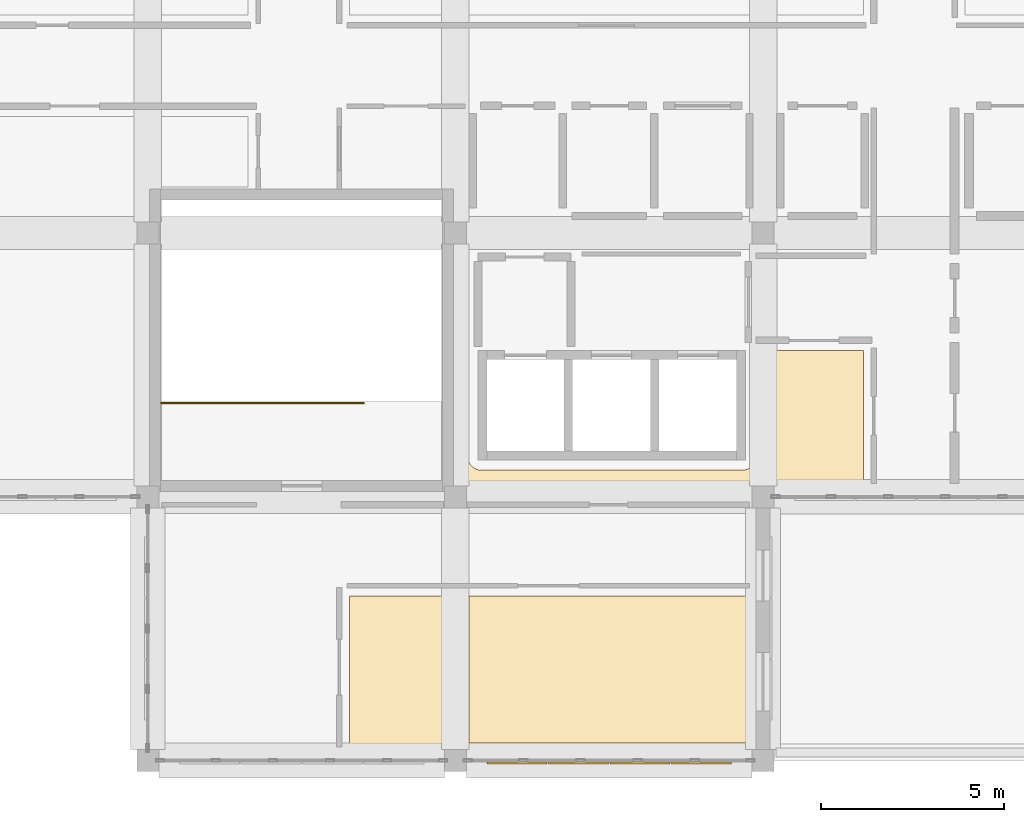
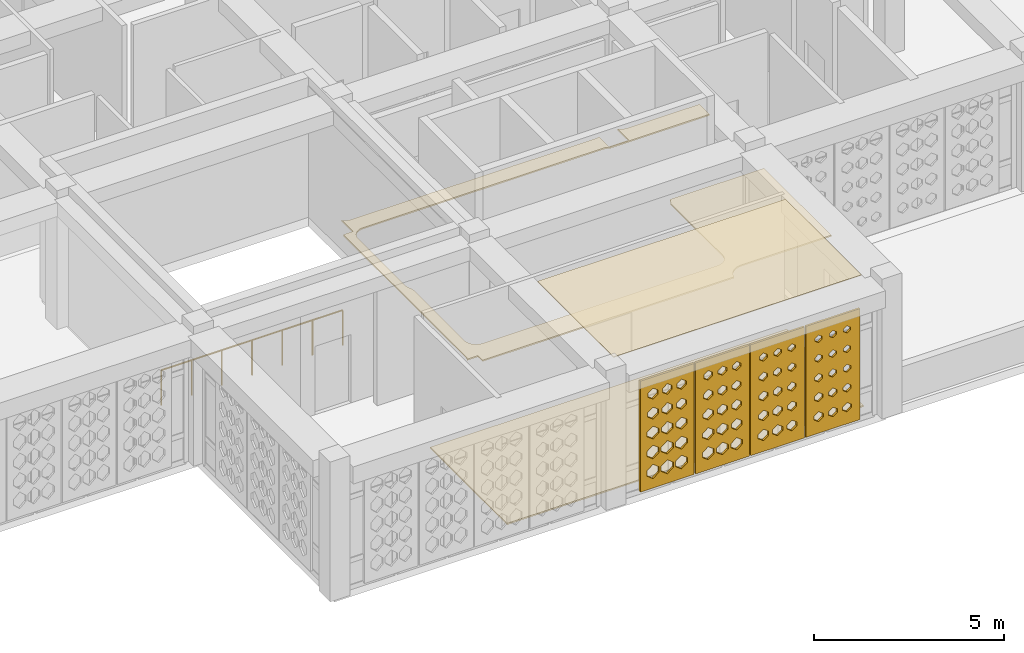
# One storey, part 19 of 28: 7 coverings, 1 railing.
"""IFC4 building model written with IfcOpenShell, lengths in metres."""

from ifc_helpers import new_model, si_unit, derived_unit, direction, frame, origin, origin_2d, place, context, subcontext, project, spatial, polyline, circle, outline, extrude, material, layer, layer_set, type_object, element, save


model = new_model("IFC4")

# Units and contexts
model_context = context("Model", 3, precision=1e-05, world=origin(), true_north=direction((0.0, 1.0)))
body_context = subcontext(model_context, "Body", "Model", "MODEL_VIEW")
ifc_project = project(units=[si_unit("LENGTHUNIT", "METRE"), si_unit("AREAUNIT", "SQUARE_METRE"), si_unit("VOLUMEUNIT", "CUBIC_METRE"), si_unit("PLANEANGLEUNIT", "RADIAN"), si_unit("MASSUNIT", "GRAM", prefix="KILO"), derived_unit("THERMALTRANSMITTANCEUNIT", [(si_unit("POWERUNIT", "WATT"), 1), (si_unit("LENGTHUNIT", "METRE"), -2), (si_unit("THERMODYNAMICTEMPERATUREUNIT", "KELVIN"), -1)])], contexts=[model_context])

# Site, building, storey
site_placement = place(None, origin())
site = spatial("IfcSite", under=ifc_project, at=site_placement, CompositionType="ELEMENT")
building_placement = place(site_placement, origin())
building = spatial("IfcBuilding", under=site, at=building_placement, Name="Veybourne Emporium", CompositionType="ELEMENT")
storey_placement = place(building_placement, frame((0.0, 0.0, 32.10009765625)))
storey = spatial("IfcBuildingStorey", under=building, at=storey_placement, Name="L07", CompositionType="ELEMENT", Elevation=32.10009765625)

# Coverings
ifc_material_1 = material(Name="Mineral Acoustic Ceiling", Category="gypsum")
ifc_layer_1 = layer(ifc_material_1, 0.02490234375)
ifc_layer_set_1 = layer_set([ifc_layer_1], Name="Mineral Acoustic Ceiling")
covering_type_1 = type_object("IfcCoveringType", Name="Ceiling_CLG-01", PredefinedType="CEILING", material=ifc_layer_set_1)
covering_1_placement = place(storey_placement, frame((0.0, 0.0, 4.21484375)))
element("IfcCovering", 1, at=covering_1_placement, inside=storey, type_object=covering_type_1, Name="L07 coffered acoustic ceiling 01", PredefinedType="CEILING", context=body_context, shape_type="SweptSolid", body=[
    extrude(outline(polyline([(33.126953125, 11.68994140625), (33.126953125, 7.673095703125), (25.572998046875, 7.673095703125), (25.572998046875, 11.68994140625), (33.126953125, 11.68994140625)])), origin(), (0.0, 0.0, 1.0), 0.025146484375),
])
ifc_material_2 = material(Name="Venetian Terrazzo Flooring", Category="masonry")
ifc_layer_2 = layer(ifc_material_2, 0.044921875)
ifc_layer_set_2 = layer_set([ifc_layer_2], Name="Venetian Terrazzo Flooring")
covering_type_2 = type_object("IfcCoveringType", Name="Flooring_FLR-01", PredefinedType="FLOORING", material=ifc_layer_set_2)
covering_2_placement = place(storey_placement, origin())
element("IfcCovering", 2, at=covering_2_placement, inside=storey, type_object=covering_type_2, Name="L07 floor finish 01", PredefinedType="FLOORING", context=body_context, shape_type="SweptSolid", body=[
    extrude(outline(polyline([(22.31005859375, 11.68994140625), (33.159912109375, 11.68994140625), (33.159912109375, 7.639892578125), (22.31005859375, 7.639892578125), (22.31005859375, 11.68994140625)])), origin(), (0.0, 0.0, 1.0), 0.044921875),
])
covering_3_placement = place(storey_placement, origin())
element("IfcCovering", 3, at=covering_3_placement, inside=storey, type_object=covering_type_2, Name="L07 floor finish 03", PredefinedType="FLOORING", context=body_context, shape_type="SweptSolid", body=[
    extrude(outline(polyline([(25.5400390625, 15.489990234375), (25.540283203125, 15.480224609375), (25.541015625, 15.464599609375), (25.54296875, 15.445068359375), (25.545166015625, 15.429443359375), (25.549072265625, 15.41015625), (25.552978515625, 15.39501953125), (25.55859375, 15.376220703125), (25.56396484375, 15.361328125), (25.5712890625, 15.34326171875), (25.578125, 15.3291015625), (25.58740234375, 15.311767578125), (25.595458984375, 15.29833984375), (25.6064453125, 15.281982421875), (25.61572265625, 15.269287109375), (25.628173828125, 15.254150390625), (25.638671875, 15.24267578125), (25.652587890625, 15.228515625), (25.664306640625, 15.218017578125), (25.67919921875, 15.205810546875), (25.69189453125, 15.1962890625), (25.708251953125, 15.185302734375), (25.7216796875, 15.17724609375), (25.739013671875, 15.16796875), (25.753173828125, 15.161376953125), (25.771484375, 15.15380859375), (25.7861328125, 15.148681640625), (25.804931640625, 15.142822265625), (25.820068359375, 15.13916015625), (25.839599609375, 15.13525390625), (25.85498046875, 15.1328125), (25.87451171875, 15.131103515625), (25.89013671875, 15.130126953125), (25.89990234375, 15.1298828125), (28.320068359375, 15.1298828125), (28.329833984375, 15.130126953125), (28.345458984375, 15.131103515625), (28.364990234375, 15.1328125), (28.380615234375, 15.13525390625), (28.39990234375, 15.13916015625), (28.39990234375, 15.13916015625), (28.400146484375, 15.13916015625), (28.41943359375, 15.13525390625), (28.43505859375, 15.1328125), (28.45458984375, 15.131103515625), (28.47021484375, 15.130126953125), (28.47998046875, 15.1298828125), (30.679931640625, 15.1298828125), (30.689697265625, 15.130126953125), (30.70556640625, 15.131103515625), (30.72509765625, 15.1328125), (30.740478515625, 15.13525390625), (30.759765625, 15.13916015625), (30.760009765625, 15.13916015625), (30.76025390625, 15.13916015625), (30.779541015625, 15.13525390625), (30.794921875, 15.1328125), (30.814453125, 15.131103515625), (30.830078125, 15.130126953125), (30.840087890625, 15.1298828125), (33.0400390625, 15.1298828125), (33.0498046875, 15.130126953125), (33.0654296875, 15.131103515625), (33.0849609375, 15.1328125), (33.1005859375, 15.13525390625), (33.119873046875, 15.13916015625), (33.135009765625, 15.142822265625), (33.15380859375, 15.148681640625), (33.168701171875, 15.15380859375), (33.186767578125, 15.161376953125), (33.200927734375, 15.16796875), (33.21826171875, 15.17724609375), (33.231689453125, 15.185302734375), (33.248046875, 15.1962890625), (33.2607421875, 15.205810546875), (33.275634765625, 15.218017578125), (33.287353515625, 15.228515625), (33.30126953125, 15.24267578125), (33.31201171875, 15.254150390625), (33.32421875, 15.269287109375), (33.333740234375, 15.281982421875), (33.3447265625, 15.29833984375), (33.352783203125, 15.311767578125), (33.36181640625, 15.3291015625), (33.36865234375, 15.34326171875), (33.376220703125, 15.361328125), (33.38134765625, 15.376220703125), (33.38720703125, 15.39501953125), (33.390869140625, 15.41015625), (33.394775390625, 15.429443359375), (33.39697265625, 15.445068359375), (33.39892578125, 15.464599609375), (33.399658203125, 15.480224609375), (33.39990234375, 15.489990234375), (33.39990234375, 18.222412109375), (33.407470703125, 18.23193359375), (33.41650390625, 18.244384765625), (33.427001953125, 18.260498046875), (33.434814453125, 18.273681640625), (33.443603515625, 18.290771484375), (33.449951171875, 18.3046875), (33.457275390625, 18.322509765625), (33.462158203125, 18.3369140625), (33.4677734375, 18.35546875), (33.471435546875, 18.370361328125), (33.47509765625, 18.38916015625), (33.47509765625, 18.389892578125), (36.340087890625, 18.389892578125), (36.340087890625, 14.840087890625), (33.60009765625, 14.840087890625), (33.590087890625, 14.83984375), (33.566650390625, 14.838623046875), (33.547119140625, 14.836669921875), (33.52392578125, 14.833251953125), (33.504638671875, 14.829345703125), (33.481689453125, 14.82373046875), (33.462890625, 14.81787109375), (33.440673828125, 14.81005859375), (33.422607421875, 14.802490234375), (33.4013671875, 14.79248046875), (33.384033203125, 14.783203125), (33.36376953125, 14.77099609375), (33.347412109375, 14.76025390625), (33.32861328125, 14.74609375), (33.3134765625, 14.73388671875), (33.296142578125, 14.718017578125), (33.281982421875, 14.703857421875), (33.26611328125, 14.6865234375), (33.25390625, 14.67138671875), (33.23974609375, 14.652587890625), (33.22900390625, 14.63623046875), (33.216796875, 14.615966796875), (33.20751953125, 14.5986328125), (33.197509765625, 14.577392578125), (33.18994140625, 14.559326171875), (33.18212890625, 14.537109375), (33.17626953125, 14.518310546875), (33.170654296875, 14.495361328125), (33.166748046875, 14.47607421875), (33.164306640625, 14.4599609375), (25.5048828125, 14.4599609375), (25.5048828125, 14.705078125), (25.179443359375, 14.705078125), (25.18603515625, 14.721435546875), (25.19140625, 14.736083984375), (25.197021484375, 14.7548828125), (25.200927734375, 14.770263671875), (25.204833984375, 14.78955078125), (25.20703125, 14.804931640625), (25.208984375, 14.824462890625), (25.209716796875, 14.840087890625), (25.2099609375, 14.85009765625), (25.2099609375, 21.294921875), (25.5048828125, 21.294921875), (25.5048828125, 21.886474609375), (25.51416015625, 21.878173828125), (25.529296875, 21.86572265625), (25.5419921875, 21.8564453125), (25.558349609375, 21.845458984375), (25.57177734375, 21.83740234375), (25.589111328125, 21.828125), (25.603271484375, 21.8212890625), (25.621337890625, 21.81396484375), (25.63623046875, 21.80859375), (25.655029296875, 21.802978515625), (25.670166015625, 21.799072265625), (25.689453125, 21.795166015625), (25.705078125, 21.79296875), (25.724609375, 21.791015625), (25.740234375, 21.790283203125), (25.75, 21.7900390625), (28.050048828125, 21.7900390625), (28.059814453125, 21.790283203125), (28.075439453125, 21.791015625), (28.094970703125, 21.79296875), (28.110595703125, 21.795166015625), (28.1298828125, 21.799072265625), (28.14501953125, 21.802978515625), (28.14990234375, 21.804443359375), (28.155029296875, 21.802978515625), (28.170166015625, 21.799072265625), (28.189453125, 21.795166015625), (28.205078125, 21.79296875), (28.224609375, 21.791015625), (28.240234375, 21.790283203125), (28.25, 21.7900390625), (30.550048828125, 21.7900390625), (30.559814453125, 21.790283203125), (30.575439453125, 21.791015625), (30.594970703125, 21.79296875), (30.610595703125, 21.795166015625), (30.6298828125, 21.799072265625), (30.64501953125, 21.802978515625), (30.64990234375, 21.804443359375), (30.655029296875, 21.802978515625), (30.670166015625, 21.799072265625), (30.689453125, 21.795166015625), (30.705078125, 21.79296875), (30.724609375, 21.791015625), (30.740234375, 21.790283203125), (30.75, 21.7900390625), (33.14990234375, 21.7900390625), (33.159912109375, 21.790283203125), (33.175537109375, 21.791015625), (33.195068359375, 21.79296875), (33.21044921875, 21.795166015625), (33.229736328125, 21.799072265625), (33.2451171875, 21.802978515625), (33.263916015625, 21.80859375), (33.278564453125, 21.81396484375), (33.294921875, 21.820556640625), (33.294921875, 21.294921875), (33.905029296875, 21.294921875), (33.905029296875, 21.886474609375), (33.914306640625, 21.878173828125), (33.92919921875, 21.86572265625), (33.94189453125, 21.8564453125), (33.958251953125, 21.845458984375), (33.9716796875, 21.83740234375), (33.989013671875, 21.828125), (34.003173828125, 21.8212890625), (34.021484375, 21.81396484375), (34.0361328125, 21.80859375), (34.054931640625, 21.802978515625), (34.070068359375, 21.799072265625), (34.089599609375, 21.795166015625), (34.10498046875, 21.79296875), (34.12451171875, 21.791015625), (34.14013671875, 21.790283203125), (34.14990234375, 21.7900390625), (36.300048828125, 21.7900390625), (36.309814453125, 21.790283203125), (36.325439453125, 21.791015625), (36.340087890625, 21.79248046875), (36.340087890625, 21.260009765625), (33.302734375, 21.260009765625), (33.298095703125, 21.2626953125), (33.281005859375, 21.27197265625), (33.266845703125, 21.278564453125), (33.24853515625, 21.2861328125), (33.23388671875, 21.29150390625), (33.215087890625, 21.297119140625), (33.199951171875, 21.301025390625), (33.180419921875, 21.3046875), (33.1650390625, 21.30712890625), (33.1455078125, 21.30908203125), (33.1298828125, 21.309814453125), (33.1201171875, 21.31005859375), (28.52001953125, 21.31005859375), (28.51025390625, 21.309814453125), (28.49462890625, 21.30908203125), (28.47509765625, 21.30712890625), (28.45947265625, 21.3046875), (28.440185546875, 21.301025390625), (28.43994140625, 21.30078125), (28.43994140625, 21.301025390625), (28.42041015625, 21.3046875), (28.405029296875, 21.30712890625), (28.385498046875, 21.30908203125), (28.369873046875, 21.309814453125), (28.360107421875, 21.31005859375), (25.820068359375, 21.31005859375), (25.810302734375, 21.309814453125), (25.79443359375, 21.30908203125), (25.77490234375, 21.30712890625), (25.759521484375, 21.3046875), (25.740234375, 21.301025390625), (25.724853515625, 21.297119140625), (25.7060546875, 21.29150390625), (25.69140625, 21.2861328125), (25.67333984375, 21.278564453125), (25.6591796875, 21.27197265625), (25.641845703125, 21.2626953125), (25.62841796875, 21.254638671875), (25.61181640625, 21.24365234375), (25.599365234375, 21.234375), (25.584228515625, 21.221923828125), (25.572509765625, 21.21142578125), (25.55859375, 21.197265625), (25.548095703125, 21.185791015625), (25.53564453125, 21.170654296875), (25.5263671875, 21.158203125), (25.515380859375, 21.1416015625), (25.50732421875, 21.128173828125), (25.498046875, 21.11083984375), (25.491455078125, 21.0966796875), (25.48388671875, 21.07861328125), (25.478515625, 21.06396484375), (25.472900390625, 21.045166015625), (25.468994140625, 21.02978515625), (25.46533203125, 21.010498046875), (25.462890625, 20.994873046875), (25.4609375, 20.9755859375), (25.460205078125, 20.959716796875), (25.4599609375, 20.949951171875), (25.4599609375, 18.4482421875), (25.460205078125, 18.438720703125), (25.4609375, 18.42333984375), (25.462890625, 18.404296875), (25.465087890625, 18.38916015625), (25.46875, 18.370361328125), (25.47216796875, 18.35546875), (25.477783203125, 18.3369140625), (25.48291015625, 18.322509765625), (25.489990234375, 18.3046875), (25.496337890625, 18.290771484375), (25.50537109375, 18.273681640625), (25.512939453125, 18.260498046875), (25.5234375, 18.244384765625), (25.532470703125, 18.23193359375), (25.5400390625, 18.222412109375), (25.5400390625, 15.489990234375)])), origin(), (0.0, 0.0, 1.0), 0.044921875),
])

# Railing
ifc_material_3 = material(Name="Brushed Stainless Steel", Category="steel")
railing_type = type_object("IfcRailingType", Name="Guard_GR-01", PredefinedType="GUARDRAIL", material=ifc_material_3)
railing_placement = place(storey_placement, frame((17.169921875, 16.9599609375, 0.0)))
element("IfcRailing", 4, at=railing_placement, inside=storey, type_object=railing_type, Name="L07 ST-01 top well guardrail", PredefinedType="GUARDRAIL", context=body_context, shape_type="SweptSolid", body=[
    extrude(circle(Radius=0.02392578125, at=origin_2d()), frame((0.0, 0.0, 1.1259765625), z_axis=(1.0, 0.0, 0.0), x_axis=(0.0, 1.0, 0.0)), (0.0, 0.0, 1.0), 5.52001953125),
    extrude(circle(Radius=0.02099609375, at=origin_2d()), origin(), (0.0, 0.0, 1.0), 1.101806640625),
    extrude(circle(Radius=0.02099609375, at=origin_2d()), frame((0.919921875, 0.0, 0.0)), (0.0, 0.0, 1.0), 1.101806640625),
    extrude(circle(Radius=0.02099609375, at=origin_2d()), frame((1.840087890625, 0.0, 0.0)), (0.0, 0.0, 1.0), 1.101806640625),
    extrude(circle(Radius=0.02099609375, at=origin_2d()), frame((2.760009765625, 0.0, 0.0)), (0.0, 0.0, 1.0), 1.101806640625),
    extrude(circle(Radius=0.02099609375, at=origin_2d()), frame((3.679931640625, 0.0, 0.0)), (0.0, 0.0, 1.0), 1.101806640625),
    extrude(circle(Radius=0.02099609375, at=origin_2d()), frame((4.60009765625, 0.0, 0.0)), (0.0, 0.0, 1.0), 1.101806640625),
    extrude(circle(Radius=0.02099609375, at=origin_2d()), frame((5.52001953125, 0.0, 0.0)), (0.0, 0.0, 1.0), 1.101806640625),
])

# Coverings
ifc_material_4 = material(Name="Warm-White Perforated Aluminium Screen Alloy", Category="aluminium")
ifc_layer_3 = layer(ifc_material_4, 0.06005859375)
ifc_layer_set_3 = layer_set([ifc_layer_3], Name="Warm-White Perforated Aluminium Screen Alloy")
covering_type_3 = type_object("IfcCoveringType", Name="WaveScreen_SCR-01", PredefinedType="CLADDING", material=ifc_layer_set_3)
covering_4_placement = place(storey_placement, frame((30.239990234375, 7.1044921875, 1.844970703125), z_axis=(0.0, 1.0, 0.0), x_axis=(-1.0, 0.0, 0.0)))
element("IfcCovering", 5, at=covering_4_placement, inside=storey, type_object=covering_type_3, Name="L07 wave-perforated aluminium screen SCR-01 (11C.2)", PredefinedType="CLADDING", context=body_context, shape_type="SweptSolid", body=[
    extrude(outline(polyline([(-0.81982421875, -1.78515625), (0.81982421875, -1.78515625), (0.81982421875, 1.78515625), (-0.81982421875, 1.78515625), (-0.81982421875, -1.78515625)]), holes=[polyline([(-0.433349609375, -1.080078125), (-0.28271484375, -1.190185546875), (-0.28271484375, -1.31396484375), (-0.433349609375, -1.424072265625), (-0.583984375, -1.31396484375), (-0.583984375, -1.190185546875), (-0.433349609375, -1.080078125)]), polyline([(-0.433349609375, -0.467529296875), (-0.293701171875, -0.569091796875), (-0.293701171875, -0.68310546875), (-0.433349609375, -0.784423828125), (-0.572998046875, -0.68310546875), (-0.572998046875, -0.569091796875), (-0.433349609375, -0.467529296875)]), polyline([(-0.433349609375, 0.145751953125), (-0.30419921875, 0.052490234375), (-0.30419921875, -0.052490234375), (-0.433349609375, -0.145751953125), (-0.5625, -0.052490234375), (-0.5625, 0.052490234375), (-0.433349609375, 0.145751953125)]), polyline([(-0.433349609375, 0.760498046875), (-0.313232421875, 0.674560546875), (-0.313232421875, 0.577392578125), (-0.433349609375, 0.491455078125), (-0.553466796875, 0.577392578125), (-0.553466796875, 0.674560546875), (-0.433349609375, 0.760498046875)]), polyline([(-0.433349609375, 1.377197265625), (-0.32080078125, 1.297119140625), (-0.32080078125, 1.206787109375), (-0.433349609375, 1.126708984375), (-0.5458984375, 1.206787109375), (-0.5458984375, 1.297119140625), (-0.433349609375, 1.377197265625)]), polyline([(0.0, -1.07373046875), (0.15576171875, -1.187744140625), (0.15576171875, -1.316162109375), (0.0, -1.430419921875), (-0.15576171875, -1.316162109375), (-0.15576171875, -1.187744140625), (0.0, -1.07373046875)]), polyline([(0.0, -0.461669921875), (0.144287109375, -0.56689453125), (0.144287109375, -0.685302734375), (0.0, -0.790283203125), (-0.144287109375, -0.685302734375), (-0.144287109375, -0.56689453125), (0.0, -0.461669921875)]), polyline([(0.0, 0.151123046875), (0.1337890625, 0.054443359375), (0.1337890625, -0.054443359375), (0.0, -0.151123046875), (-0.1337890625, -0.054443359375), (-0.1337890625, 0.054443359375), (0.0, 0.151123046875)]), polyline([(0.0, 0.765380859375), (0.1240234375, 0.67626953125), (0.1240234375, 0.57568359375), (0.0, 0.486572265625), (-0.1240234375, 0.57568359375), (-0.1240234375, 0.67626953125), (0.0, 0.765380859375)]), polyline([(0.0, 1.381103515625), (0.11572265625, 1.298583984375), (0.11572265625, 1.20556640625), (0.0, 1.122802734375), (-0.11572265625, 1.20556640625), (-0.11572265625, 1.298583984375), (0.0, 1.381103515625)]), polyline([(0.433349609375, -1.0673828125), (0.594482421875, -1.185546875), (0.594482421875, -1.318603515625), (0.433349609375, -1.4365234375), (0.272216796875, -1.318603515625), (0.272216796875, -1.185546875), (0.433349609375, -1.0673828125)]), polyline([(0.433349609375, -0.45556640625), (0.582763671875, -0.564697265625), (0.582763671875, -0.6875), (0.433349609375, -0.79638671875), (0.283935546875, -0.6875), (0.283935546875, -0.564697265625), (0.433349609375, -0.45556640625)]), polyline([(0.433349609375, 0.156982421875), (0.57177734375, 0.056396484375), (0.57177734375, -0.056396484375), (0.433349609375, -0.156982421875), (0.294921875, -0.056396484375), (0.294921875, 0.056396484375), (0.433349609375, 0.156982421875)]), polyline([(0.433349609375, 0.7705078125), (0.5615234375, 0.677978515625), (0.5615234375, 0.573974609375), (0.433349609375, 0.4814453125), (0.30517578125, 0.573974609375), (0.30517578125, 0.677978515625), (0.433349609375, 0.7705078125)]), polyline([(0.433349609375, 1.385498046875), (0.552490234375, 1.300048828125), (0.552490234375, 1.203857421875), (0.433349609375, 1.118408203125), (0.314208984375, 1.203857421875), (0.314208984375, 1.300048828125), (0.433349609375, 1.385498046875)])]), origin(), (0.0, 0.0, 1.0), 0.06005859375),
])
ifc_layer_4 = layer(ifc_material_4, 0.06005859375)
ifc_layer_set_4 = layer_set([ifc_layer_4], Name="Warm-White Perforated Aluminium Screen Alloy")
covering_type_4 = type_object("IfcCoveringType", Name="WaveScreen_SCR-02", PredefinedType="CLADDING", material=ifc_layer_set_4)
covering_5_placement = place(storey_placement, frame((28.56005859375, 7.1044921875, 1.844970703125), z_axis=(0.0, 1.0, 0.0), x_axis=(-1.0, 0.0, 0.0)))
element("IfcCovering", 6, at=covering_5_placement, inside=storey, type_object=covering_type_4, Name="L07 wave-perforated aluminium screen SCR-02 (11C.3)", PredefinedType="CLADDING", context=body_context, shape_type="SweptSolid", body=[
    extrude(outline(polyline([(-0.81982421875, -1.78515625), (0.81982421875, -1.78515625), (0.81982421875, 1.78515625), (-0.81982421875, 1.78515625), (-0.81982421875, -1.78515625)]), holes=[polyline([(-0.433349609375, -1.055419921875), (-0.262451171875, -1.18115234375), (-0.262451171875, -1.32275390625), (-0.433349609375, -1.44873046875), (-0.604248046875, -1.32275390625), (-0.604248046875, -1.18115234375), (-0.433349609375, -1.055419921875)]), polyline([(-0.433349609375, -0.443603515625), (-0.274169921875, -0.560302734375), (-0.274169921875, -0.691650390625), (-0.433349609375, -0.808349609375), (-0.592529296875, -0.691650390625), (-0.592529296875, -0.560302734375), (-0.433349609375, -0.443603515625)]), polyline([(-0.433349609375, 0.168212890625), (-0.285888671875, 0.060546875), (-0.285888671875, -0.060546875), (-0.433349609375, -0.168212890625), (-0.580810546875, -0.060546875), (-0.580810546875, 0.060546875), (-0.433349609375, 0.168212890625)]), polyline([(-0.433349609375, 0.78076171875), (-0.296630859375, 0.681640625), (-0.296630859375, 0.5703125), (-0.433349609375, 0.47119140625), (-0.570068359375, 0.5703125), (-0.570068359375, 0.681640625), (-0.433349609375, 0.78076171875)]), polyline([(-0.433349609375, 1.39453125), (-0.306640625, 1.30322265625), (-0.306640625, 1.20068359375), (-0.433349609375, 1.109375), (-0.56005859375, 1.20068359375), (-0.56005859375, 1.30322265625), (-0.433349609375, 1.39453125)]), polyline([(0.0, -1.048828125), (0.17626953125, -1.178955078125), (0.17626953125, -1.3251953125), (0.0, -1.455078125), (-0.17626953125, -1.3251953125), (-0.17626953125, -1.178955078125), (0.0, -1.048828125)]), polyline([(0.0, -0.437255859375), (0.164306640625, -0.55810546875), (0.164306640625, -0.69384765625), (0.0, -0.814697265625), (-0.164306640625, -0.69384765625), (-0.164306640625, -0.55810546875), (0.0, -0.437255859375)]), polyline([(0.0, 0.17431640625), (0.152587890625, 0.062744140625), (0.152587890625, -0.062744140625), (0.0, -0.17431640625), (-0.152587890625, -0.062744140625), (-0.152587890625, 0.062744140625), (0.0, 0.17431640625)]), polyline([(0.0, 0.78662109375), (0.141357421875, 0.683837890625), (0.141357421875, 0.568115234375), (0.0, 0.46533203125), (-0.141357421875, 0.568115234375), (-0.141357421875, 0.683837890625), (0.0, 0.78662109375)]), polyline([(0.0, 1.39990234375), (0.130859375, 1.30517578125), (0.130859375, 1.19873046875), (0.0, 1.104248046875), (-0.130859375, 1.19873046875), (-0.130859375, 1.30517578125), (0.0, 1.39990234375)]), polyline([(0.433349609375, -1.04248046875), (0.61474609375, -1.176513671875), (0.61474609375, -1.327392578125), (0.433349609375, -1.46142578125), (0.251953125, -1.327392578125), (0.251953125, -1.176513671875), (0.433349609375, -1.04248046875)]), polyline([(0.433349609375, -0.430908203125), (0.60302734375, -0.555908203125), (0.60302734375, -0.6962890625), (0.433349609375, -0.821044921875), (0.263671875, -0.6962890625), (0.263671875, -0.555908203125), (0.433349609375, -0.430908203125)]), polyline([(0.433349609375, 0.1806640625), (0.59130859375, 0.06494140625), (0.59130859375, -0.06494140625), (0.433349609375, -0.1806640625), (0.275390625, -0.06494140625), (0.275390625, 0.06494140625), (0.433349609375, 0.1806640625)]), polyline([(0.433349609375, 0.79248046875), (0.57958984375, 0.68603515625), (0.57958984375, 0.56591796875), (0.433349609375, 0.45947265625), (0.287109375, 0.56591796875), (0.287109375, 0.68603515625), (0.433349609375, 0.79248046875)]), polyline([(0.433349609375, 1.405517578125), (0.56884765625, 1.30712890625), (0.56884765625, 1.19677734375), (0.433349609375, 1.0986328125), (0.2978515625, 1.19677734375), (0.2978515625, 1.30712890625), (0.433349609375, 1.405517578125)])]), origin(), (0.0, 0.0, 1.0), 0.06005859375),
])
ifc_layer_5 = layer(ifc_material_4, 0.06005859375)
ifc_layer_set_5 = layer_set([ifc_layer_5], Name="Warm-White Perforated Aluminium Screen Alloy")
covering_type_5 = type_object("IfcCoveringType", Name="WaveScreen_SCR-03", PredefinedType="CLADDING", material=ifc_layer_set_5)
covering_6_placement = place(storey_placement, frame((26.8798828125, 7.1044921875, 1.844970703125), z_axis=(0.0, 1.0, 0.0), x_axis=(-1.0, 0.0, 0.0)))
element("IfcCovering", 7, at=covering_6_placement, inside=storey, type_object=covering_type_5, Name="L07 wave-perforated aluminium screen SCR-03 (11C.4)", PredefinedType="CLADDING", context=body_context, shape_type="SweptSolid", body=[
    extrude(outline(polyline([(-0.81982421875, -1.78515625), (0.81982421875, -1.78515625), (0.81982421875, 1.78515625), (-0.81982421875, 1.78515625), (-0.81982421875, -1.78515625)]), holes=[polyline([(-0.433349609375, -1.031005859375), (-0.2470703125, -1.17236328125), (-0.2470703125, -1.33154296875), (-0.433349609375, -1.472900390625), (-0.61962890625, -1.33154296875), (-0.61962890625, -1.17236328125), (-0.433349609375, -1.031005859375)]), polyline([(-0.433349609375, -0.4189453125), (-0.25390625, -0.551513671875), (-0.25390625, -0.70068359375), (-0.433349609375, -0.8330078125), (-0.61279296875, -0.70068359375), (-0.61279296875, -0.551513671875), (-0.433349609375, -0.4189453125)]), polyline([(-0.433349609375, 0.192626953125), (-0.265625, 0.0693359375), (-0.265625, -0.0693359375), (-0.433349609375, -0.192626953125), (-0.60107421875, -0.0693359375), (-0.60107421875, 0.0693359375), (-0.433349609375, 0.192626953125)]), polyline([(-0.433349609375, 0.80419921875), (-0.27734375, 0.690185546875), (-0.27734375, 0.561767578125), (-0.433349609375, 0.44775390625), (-0.589111328125, 0.561767578125), (-0.589111328125, 0.690185546875), (-0.433349609375, 0.80419921875)]), polyline([(-0.433349609375, 1.41650390625), (-0.288818359375, 1.311279296875), (-0.288818359375, 1.19287109375), (-0.433349609375, 1.087646484375), (-0.577880859375, 1.19287109375), (-0.577880859375, 1.311279296875), (-0.433349609375, 1.41650390625)]), polyline([(0.0, -1.02490234375), (0.186279296875, -1.17041015625), (0.186279296875, -1.333740234375), (0.0, -1.47900390625), (-0.186279296875, -1.333740234375), (-0.186279296875, -1.17041015625), (0.0, -1.02490234375)]), polyline([(0.0, -0.41259765625), (0.1845703125, -0.54931640625), (0.1845703125, -0.702880859375), (0.0, -0.83935546875), (-0.1845703125, -0.702880859375), (-0.1845703125, -0.54931640625), (0.0, -0.41259765625)]), polyline([(0.0, 0.19921875), (0.1728515625, 0.07177734375), (0.1728515625, -0.07177734375), (0.0, -0.19921875), (-0.1728515625, -0.07177734375), (-0.1728515625, 0.07177734375), (0.0, 0.19921875)]), polyline([(0.0, 0.810791015625), (0.1611328125, 0.6923828125), (0.1611328125, 0.5595703125), (0.0, 0.44140625), (-0.1611328125, 0.5595703125), (-0.1611328125, 0.6923828125), (0.0, 0.810791015625)]), polyline([(0.0, 1.422607421875), (0.1494140625, 1.3134765625), (0.1494140625, 1.190673828125), (0.0, 1.08154296875), (-0.1494140625, 1.190673828125), (-0.1494140625, 1.3134765625), (0.0, 1.422607421875)]), polyline([(0.433349609375, -1.019287109375), (0.61962890625, -1.168212890625), (0.61962890625, -1.335693359375), (0.433349609375, -1.484619140625), (0.2470703125, -1.335693359375), (0.2470703125, -1.168212890625), (0.433349609375, -1.019287109375)]), polyline([(0.433349609375, -0.406494140625), (0.61962890625, -0.547119140625), (0.61962890625, -0.705078125), (0.433349609375, -0.845458984375), (0.2470703125, -0.705078125), (0.2470703125, -0.547119140625), (0.433349609375, -0.406494140625)]), polyline([(0.433349609375, 0.20556640625), (0.611572265625, 0.073974609375), (0.611572265625, -0.073974609375), (0.433349609375, -0.20556640625), (0.255126953125, -0.073974609375), (0.255126953125, 0.073974609375), (0.433349609375, 0.20556640625)]), polyline([(0.433349609375, 0.817138671875), (0.599609375, 0.69482421875), (0.599609375, 0.55712890625), (0.433349609375, 0.434814453125), (0.266845703125, 0.55712890625), (0.266845703125, 0.69482421875), (0.433349609375, 0.817138671875)]), polyline([(0.433349609375, 1.4287109375), (0.587890625, 1.315673828125), (0.587890625, 1.1884765625), (0.433349609375, 1.0751953125), (0.27880859375, 1.1884765625), (0.27880859375, 1.315673828125), (0.433349609375, 1.4287109375)])]), origin(), (0.0, 0.0, 1.0), 0.06005859375),
])
ifc_layer_6 = layer(ifc_material_4, 0.06005859375)
ifc_layer_set_6 = layer_set([ifc_layer_6], Name="Warm-White Perforated Aluminium Screen Alloy")
covering_type_6 = type_object("IfcCoveringType", Name="WaveScreen_SCR-04", PredefinedType="CLADDING", material=ifc_layer_set_6)
covering_7_placement = place(storey_placement, frame((31.919921875, 7.1044921875, 1.844970703125), z_axis=(0.0, 1.0, 0.0), x_axis=(-1.0, 0.0, 0.0)))
element("IfcCovering", 8, at=covering_7_placement, inside=storey, type_object=covering_type_6, Name="L07 wave-perforated aluminium screen SCR-04 (11C.1)", PredefinedType="CLADDING", context=body_context, shape_type="SweptSolid", body=[
    extrude(outline(polyline([(-0.81982421875, -1.78515625), (0.81982421875, -1.78515625), (0.81982421875, 1.78515625), (-0.81982421875, 1.78515625), (-0.81982421875, -1.78515625)]), holes=[polyline([(-0.433349609375, -1.102783203125), (-0.30126953125, -1.1982421875), (-0.30126953125, -1.3056640625), (-0.433349609375, -1.401123046875), (-0.565185546875, -1.3056640625), (-0.565185546875, -1.1982421875), (-0.433349609375, -1.102783203125)]), polyline([(-0.433349609375, -0.488525390625), (-0.310791015625, -0.576416015625), (-0.310791015625, -0.675537109375), (-0.433349609375, -0.763427734375), (-0.555908203125, -0.675537109375), (-0.555908203125, -0.576416015625), (-0.433349609375, -0.488525390625)]), polyline([(-0.433349609375, 0.127685546875), (-0.31884765625, 0.0458984375), (-0.31884765625, -0.0458984375), (-0.433349609375, -0.127685546875), (-0.5478515625, -0.0458984375), (-0.5478515625, 0.0458984375), (-0.433349609375, 0.127685546875)]), polyline([(-0.433349609375, 0.74560546875), (-0.325439453125, 0.669189453125), (-0.325439453125, 0.5830078125), (-0.433349609375, 0.50634765625), (-0.541259765625, 0.5830078125), (-0.541259765625, 0.669189453125), (-0.433349609375, 0.74560546875)]), polyline([(-0.433349609375, 1.3662109375), (-0.330078125, 1.293212890625), (-0.330078125, 1.2109375), (-0.433349609375, 1.137939453125), (-0.53662109375, 1.2109375), (-0.53662109375, 1.293212890625), (-0.433349609375, 1.3662109375)]), polyline([(0.0, -1.097412109375), (0.13671875, -1.1962890625), (0.13671875, -1.3076171875), (0.0, -1.40673828125), (-0.13671875, -1.3076171875), (-0.13671875, -1.1962890625), (0.0, -1.097412109375)]), polyline([(0.0, -0.4833984375), (0.126708984375, -0.57470703125), (0.126708984375, -0.67724609375), (0.0, -0.7685546875), (-0.126708984375, -0.67724609375), (-0.126708984375, -0.57470703125), (0.0, -0.4833984375)]), polyline([(0.0, 0.1318359375), (0.117919921875, 0.047607421875), (0.117919921875, -0.047607421875), (0.0, -0.1318359375), (-0.117919921875, -0.047607421875), (-0.117919921875, 0.047607421875), (0.0, 0.1318359375)]), polyline([(0.0, 0.7490234375), (0.110595703125, 0.67041015625), (0.110595703125, 0.581787109375), (0.0, 0.5029296875), (-0.110595703125, 0.581787109375), (-0.110595703125, 0.67041015625), (0.0, 0.7490234375)]), polyline([(0.0, 1.368408203125), (0.105224609375, 1.2939453125), (0.105224609375, 1.210205078125), (0.0, 1.1357421875), (-0.105224609375, 1.210205078125), (-0.105224609375, 1.2939453125), (0.0, 1.368408203125)]), polyline([(0.433349609375, -1.091552734375), (0.57470703125, -1.194091796875), (0.57470703125, -1.309814453125), (0.433349609375, -1.41259765625), (0.2919921875, -1.309814453125), (0.2919921875, -1.194091796875), (0.433349609375, -1.091552734375)]), polyline([(0.433349609375, -0.478271484375), (0.564208984375, -0.57275390625), (0.564208984375, -0.67919921875), (0.433349609375, -0.773681640625), (0.302490234375, -0.67919921875), (0.302490234375, -0.57275390625), (0.433349609375, -0.478271484375)]), polyline([(0.433349609375, 0.136474609375), (0.554931640625, 0.049072265625), (0.554931640625, -0.049072265625), (0.433349609375, -0.136474609375), (0.311767578125, -0.049072265625), (0.311767578125, 0.049072265625), (0.433349609375, 0.136474609375)]), polyline([(0.433349609375, 0.752685546875), (0.547119140625, 0.671630859375), (0.547119140625, 0.580322265625), (0.433349609375, 0.499267578125), (0.319580078125, 0.580322265625), (0.319580078125, 0.671630859375), (0.433349609375, 0.752685546875)]), polyline([(0.433349609375, 1.37109375), (0.540771484375, 1.294921875), (0.540771484375, 1.209228515625), (0.433349609375, 1.133056640625), (0.325927734375, 1.209228515625), (0.325927734375, 1.294921875), (0.433349609375, 1.37109375)])]), origin(), (0.0, 0.0, 1.0), 0.06005859375),
])

save(model, "model.ifc")
